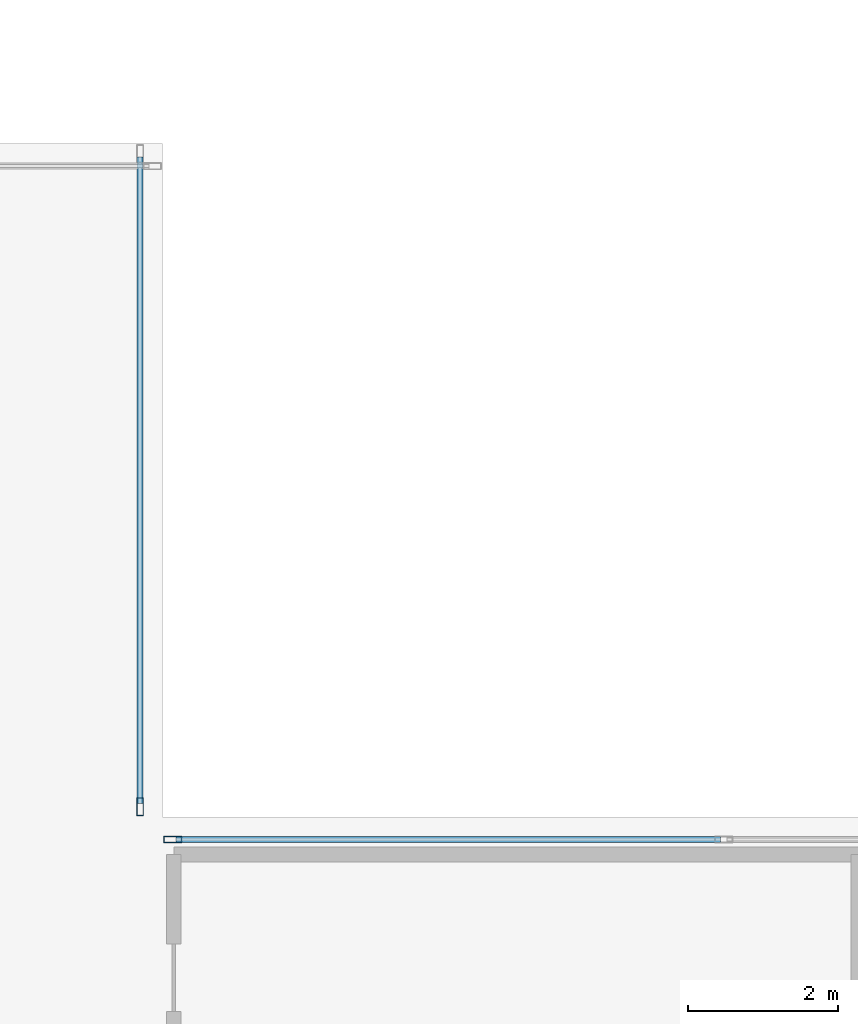
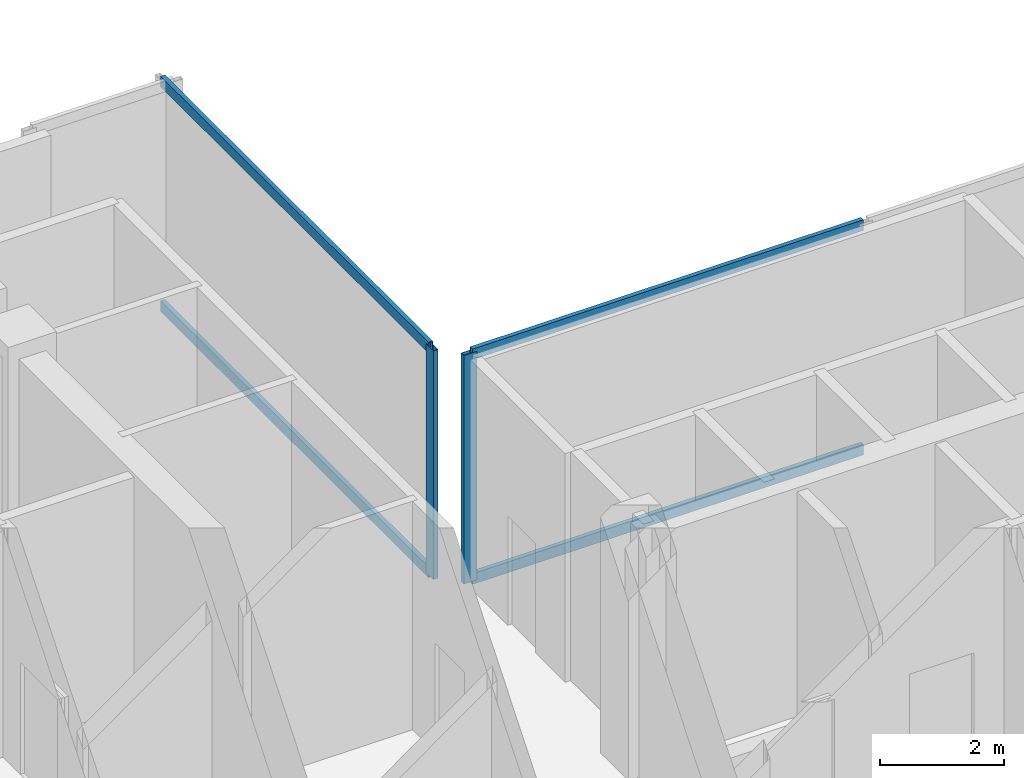
# One storey, part 7 of 22: 6 members, 2 elements without a shape of their own.
"""IFC4 building model written with IfcOpenShell, lengths in metres."""

from ifc_helpers import new_model, si_unit, direction, frame, origin, origin_2d, place, context, subcontext, project, spatial, hollow_rectangle, extrude, material, layer, layer_set, material_profile, profile_set, type_object, element, aggregate, save


model = new_model("IFC4")

# Units and contexts
model_context = context("Model", 3, precision=1e-05, world=origin(), true_north=direction((0.0, 1.0)))
body_context = subcontext(model_context, "Body", "Model", "MODEL_VIEW")
ifc_project = project(units=[si_unit("LENGTHUNIT", "METRE"), si_unit("AREAUNIT", "SQUARE_METRE"), si_unit("VOLUMEUNIT", "CUBIC_METRE"), si_unit("PLANEANGLEUNIT", "RADIAN"), si_unit("MASSUNIT", "GRAM", prefix="KILO"), si_unit("THERMODYNAMICTEMPERATUREUNIT", "KELVIN"), si_unit("POWERUNIT", "WATT")], contexts=[model_context])

# Site, building, storey
site_placement = place(None, origin())
site = spatial("IfcSite", under=ifc_project, at=site_placement, CompositionType="ELEMENT")
building_placement = place(site_placement, origin())
building = spatial("IfcBuilding", under=site, at=building_placement, Name="Svarakhadi Broadcast Tower", CompositionType="ELEMENT")
storey_placement = place(building_placement, frame((0.0, 0.0, 199.199951171875)))
storey = spatial("IfcBuildingStorey", under=building, at=storey_placement, Name="L49", CompositionType="ELEMENT", Elevation=199.199951171875)

# Curtain wall, member
ifc_material = material(Name="Anodised Bronze Aluminium AA 6063-T6", Category="aluminium")
ifc_layer = layer(ifc_material, 0.239990234375)
ifc_layer_set = layer_set([ifc_layer], Name="Anodised Bronze Aluminium AA 6063-T6")
curtain_wall_type = type_object("IfcCurtainWallType", Name="CW_Sys_06", PredefinedType="NOTDEFINED", material=ifc_layer_set)
curtain_wall_1_placement = place(storey_placement, origin())
curtain_wall_1 = element("IfcCurtainWall", 1, at=curtain_wall_1_placement, inside=storey, type_object=curtain_wall_type, Name="L49 Unitised Facade Curtain Wall 09", PredefinedType="NOTDEFINED")
ifc_material_profile_1 = material_profile(ifc_material, hollow_rectangle(XDim=0.090087890625, YDim=0.239990234375, WallThickness=0.006103515625, at=origin_2d()), Name="ALU MULLION 240x90x6")
ifc_profile_set_1 = profile_set([ifc_material_profile_1], Name="Anodised Bronze Aluminium AA 6063-T6")
member_type_1 = type_object("IfcMemberType", Name="CW_Sys_06_Mul", PredefinedType="MULLION", material=ifc_profile_set_1)
member_1_placement = place(storey_placement, frame((23.699951171875, 24.135009765625, 0.0), z_axis=(0.0, 0.0, 1.0), x_axis=(1.0, 0.0, 0.0)))
member_1 = element("IfcMember", 2, at=member_1_placement, type_object=member_type_1, Name="CW-06 mullion 2", PredefinedType="MULLION", context=body_context, shape_type="SweptSolid", body=[
    extrude(hollow_rectangle(XDim=0.090087890625, YDim=0.239990234375, WallThickness=0.006103515625, at=origin_2d()), origin(), (0.0, 0.0, 1.0), 4.5),
])

curtain_wall_2_placement = place(storey_placement, origin())
curtain_wall_2 = element("IfcCurtainWall", 3, at=curtain_wall_2_placement, inside=storey, type_object=curtain_wall_type, Name="L49 Unitised Facade Curtain Wall 10", PredefinedType="NOTDEFINED")
member_2_placement = place(storey_placement, frame((24.135009765625, 23.699951171875, 0.0), z_axis=(0.0, 0.0, 1.0), x_axis=(0.0, 1.0, 0.0)))
member_2 = element("IfcMember", 4, at=member_2_placement, type_object=member_type_1, Name="CW-06 mullion 1", PredefinedType="MULLION", context=body_context, shape_type="SweptSolid", body=[
    extrude(hollow_rectangle(XDim=0.090087890625, YDim=0.239990234375, WallThickness=0.006103515625, at=origin_2d()), origin(), (0.0, 0.0, 1.0), 4.5),
])

# Member
ifc_material_profile_2 = material_profile(ifc_material, hollow_rectangle(XDim=0.080078125, YDim=0.2099609375, WallThickness=0.0048828125, at=origin_2d()), Name="ALU TRANSOM 210x80x5")
ifc_profile_set_2 = profile_set([ifc_material_profile_2], Name="Anodised Bronze Aluminium AA 6063-T6")
member_type_2 = type_object("IfcMemberType", Name="CW_Sys_06_Trn", PredefinedType="USERDEFINED", material=ifc_profile_set_2)
member_3_placement = place(storey_placement, frame((23.699951171875, 32.820068359375, 0.0400390625), z_axis=(0.0, -1.0, 0.0), x_axis=(1.0, 0.0, 0.0)))
member_3 = element("IfcMember", 5, at=member_3_placement, type_object=member_type_2, Name="CW-06 transom 1.1", ObjectType="TRANSOM", PredefinedType="USERDEFINED", context=body_context, shape_type="SweptSolid", body=[
    extrude(hollow_rectangle(XDim=0.080078125, YDim=0.2099609375, WallThickness=0.0048828125, at=origin_2d()), origin(), (0.0, 0.0, 1.0), 8.64013671875),
])

member_4_placement = place(storey_placement, frame((23.699951171875, 32.820068359375, 4.4599609375), z_axis=(0.0, -1.0, 0.0), x_axis=(1.0, 0.0, 0.0)))
member_4 = element("IfcMember", 6, at=member_4_placement, type_object=member_type_2, Name="CW-06 transom 1.2", ObjectType="TRANSOM", PredefinedType="USERDEFINED", context=body_context, shape_type="SweptSolid", body=[
    extrude(hollow_rectangle(XDim=0.080078125, YDim=0.2099609375, WallThickness=0.0048828125, at=origin_2d()), origin(), (0.0, 0.0, 1.0), 8.64013671875),
])

aggregate(curtain_wall_1, [member_1, member_3, member_4])

member_5_placement = place(storey_placement, frame((24.179931640625, 23.699951171875, 0.0400390625), z_axis=(1.0, 0.0, 0.0), x_axis=(0.0, 1.0, 0.0)))
member_5 = element("IfcMember", 7, at=member_5_placement, type_object=member_type_2, Name="CW-06 transom 1.1", ObjectType="TRANSOM", PredefinedType="USERDEFINED", context=body_context, shape_type="SweptSolid", body=[
    extrude(hollow_rectangle(XDim=0.080078125, YDim=0.2099609375, WallThickness=0.0048828125, at=origin_2d()), origin(), (0.0, 0.0, 1.0), 7.275146484375),
])

member_6_placement = place(storey_placement, frame((24.179931640625, 23.699951171875, 4.4599609375), z_axis=(1.0, 0.0, 0.0), x_axis=(0.0, 1.0, 0.0)))
member_6 = element("IfcMember", 8, at=member_6_placement, type_object=member_type_2, Name="CW-06 transom 1.2", ObjectType="TRANSOM", PredefinedType="USERDEFINED", context=body_context, shape_type="SweptSolid", body=[
    extrude(hollow_rectangle(XDim=0.080078125, YDim=0.2099609375, WallThickness=0.0048828125, at=origin_2d()), origin(), (0.0, 0.0, 1.0), 7.275146484375),
])

aggregate(curtain_wall_2, [member_2, member_5, member_6])

save(model, "model.ifc")
